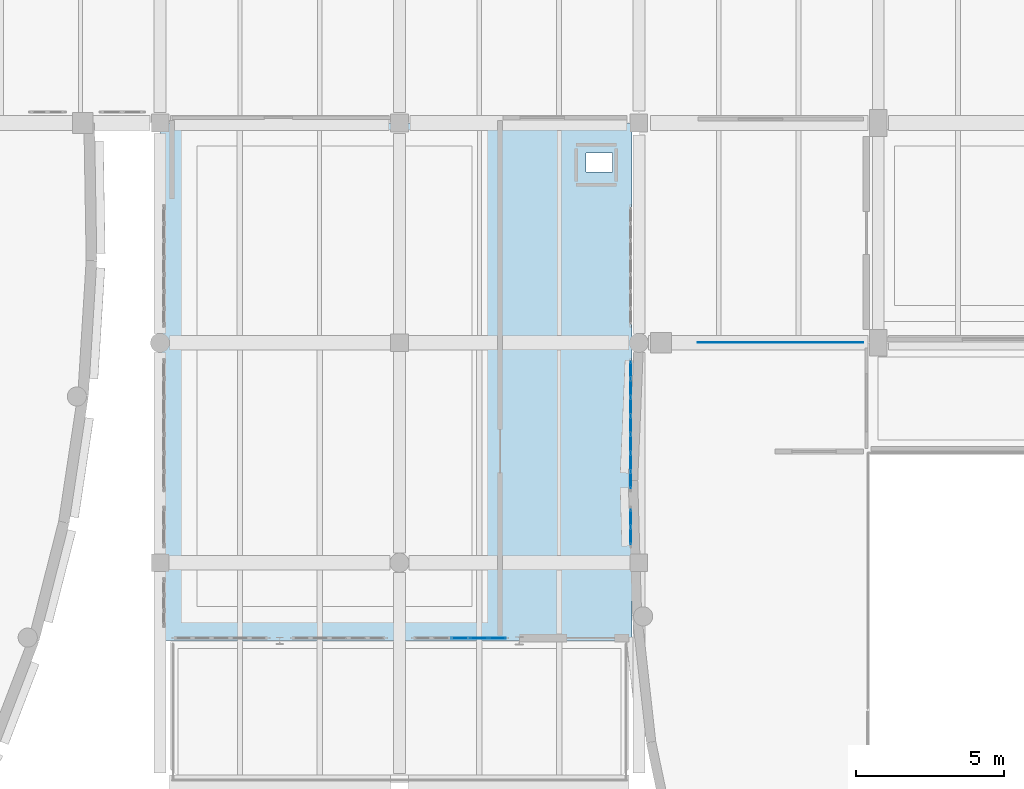
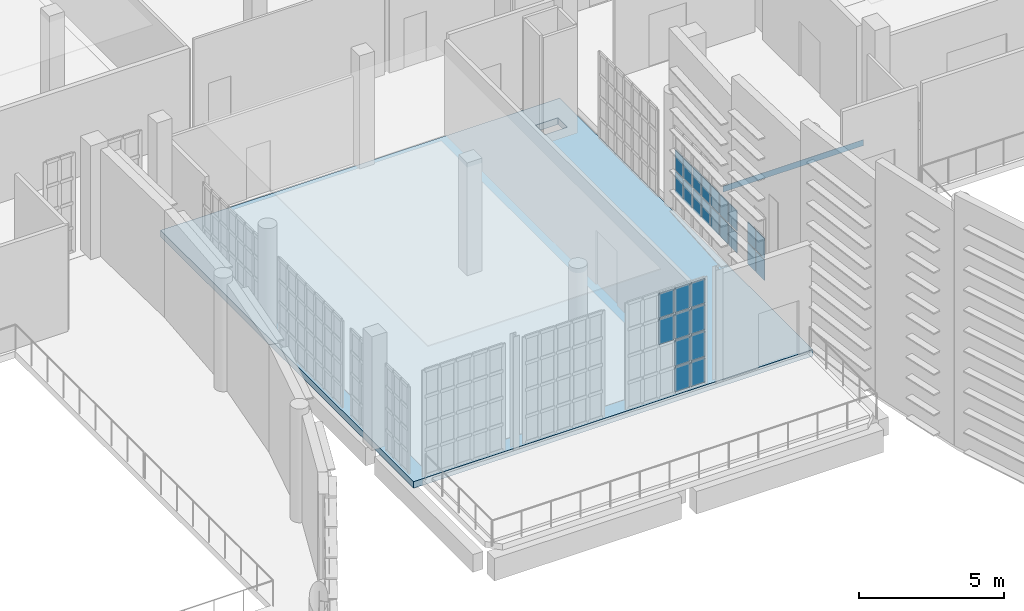
# One storey, part 76 of 104: 28 plates, 2 slabs, 3 elements without a shape of their own.
"""IFC4 building model written with IfcOpenShell, lengths in metres."""

from ifc_helpers import new_model, si_unit, direction, frame, origin, origin_2d, place, context, subcontext, project, spatial, polyline, rectangle, outline, extrude, material, layer, layer_set, type_object, element, aggregate, save


model = new_model("IFC4")

# Units and contexts
model_context = context("Model", 3, precision=1e-05, world=origin(), true_north=direction((0.0, 1.0)))
body_context = subcontext(model_context, "Body", "Model", "MODEL_VIEW")
ifc_project = project(units=[si_unit("LENGTHUNIT", "METRE"), si_unit("AREAUNIT", "SQUARE_METRE"), si_unit("VOLUMEUNIT", "CUBIC_METRE"), si_unit("PLANEANGLEUNIT", "RADIAN"), si_unit("MASSUNIT", "GRAM", prefix="KILO")], contexts=[model_context])

# Site, building, storey
site_placement = place(None, origin())
site = spatial("IfcSite", under=ifc_project, at=site_placement, CompositionType="ELEMENT")
building_placement = place(site_placement, origin())
building = spatial("IfcBuilding", under=site, at=building_placement, Name="Kaelora Sail Theatre", CompositionType="ELEMENT")
storey_placement = place(building_placement, frame((0.0, 0.0, 5.39990234375)))
storey = spatial("IfcBuildingStorey", under=building, at=storey_placement, Name="L01", CompositionType="ELEMENT", Elevation=5.39990234375)

# Curtain wall, plates
ifc_material_1 = material(Name="Anodised aluminium and solar-control low-E IGU", Category="aluminium")
curtain_wall_type = type_object("IfcCurtainWallType", Name="ARC-CW-CW-PROW", PredefinedType="NOTDEFINED", material=ifc_material_1)
curtain_wall_1_placement = place(storey_placement, origin())
curtain_wall_1 = element("IfcCurtainWall", 1, at=curtain_wall_1_placement, inside=storey, type_object=curtain_wall_type, Name="East Interstitial Sail Foyer Curtain Wall L01-03", PredefinedType="NOTDEFINED")
ifc_material_2 = material(Name="Solar-control laminated low-E glass", Category="glass")
ifc_layer_1 = layer(ifc_material_2, 0.031982421875)
ifc_layer_set_1 = layer_set([ifc_layer_1], Name="Solar-control laminated low-E glass")
plate_type = type_object("IfcPlateType", Name="ARC-CW-PNL", PredefinedType="CURTAIN_PANEL", material=ifc_layer_set_1)
plate_1_placement = place(storey_placement, frame((116.949951171875, 43.590087890625, 2.28759765625), z_axis=(0.0, 0.0, 1.0), x_axis=(1.0, 0.0, 0.0)))
plate_1 = element("IfcPlate", 2, at=plate_1_placement, type_object=plate_type, Name="CW-PROW panel 3.3", PredefinedType="CURTAIN_PANEL", context=body_context, shape_type="SweptSolid", body=[
    extrude(rectangle(XDim=0.580078125, YDim=0.031982421875, at=origin_2d()), origin(), (0.0, 0.0, 1.0), 1.056396484375),
])
plate_2_placement = place(storey_placement, frame((116.949951171875, 43.590087890625, 3.4140625), z_axis=(0.0, 0.0, 1.0), x_axis=(1.0, 0.0, 0.0)))
plate_2 = element("IfcPlate", 3, at=plate_2_placement, type_object=plate_type, Name="CW-PROW panel 3.4", PredefinedType="CURTAIN_PANEL", context=body_context, shape_type="SweptSolid", body=[
    extrude(rectangle(XDim=0.580078125, YDim=0.031982421875, at=origin_2d()), origin(), (0.0, 0.0, 1.0), 1.021240234375),
])
plate_3_placement = place(storey_placement, frame((117.590087890625, 43.590087890625, 0.0703125), z_axis=(0.0, 0.0, 1.0), x_axis=(1.0, 0.0, 0.0)))
plate_3 = element("IfcPlate", 4, at=plate_3_placement, type_object=plate_type, Name="CW-PROW panel 4.1", PredefinedType="CURTAIN_PANEL", context=body_context, shape_type="SweptSolid", body=[
    extrude(rectangle(XDim=0.580078125, YDim=0.031982421875, at=origin_2d()), origin(), (0.0, 0.0, 1.0), 1.021240234375),
])
plate_4_placement = place(storey_placement, frame((117.590087890625, 43.590087890625, 1.161376953125), z_axis=(0.0, 0.0, 1.0), x_axis=(1.0, 0.0, 0.0)))
plate_4 = element("IfcPlate", 5, at=plate_4_placement, type_object=plate_type, Name="CW-PROW panel 4.2", PredefinedType="CURTAIN_PANEL", context=body_context, shape_type="SweptSolid", body=[
    extrude(rectangle(XDim=0.580078125, YDim=0.031982421875, at=origin_2d()), origin(), (0.0, 0.0, 1.0), 1.05615234375),
])
plate_5_placement = place(storey_placement, frame((117.590087890625, 43.590087890625, 2.28759765625), z_axis=(0.0, 0.0, 1.0), x_axis=(1.0, 0.0, 0.0)))
plate_5 = element("IfcPlate", 6, at=plate_5_placement, type_object=plate_type, Name="CW-PROW panel 4.3", PredefinedType="CURTAIN_PANEL", context=body_context, shape_type="SweptSolid", body=[
    extrude(rectangle(XDim=0.580078125, YDim=0.031982421875, at=origin_2d()), origin(), (0.0, 0.0, 1.0), 1.056396484375),
])
plate_6_placement = place(storey_placement, frame((117.590087890625, 43.590087890625, 3.4140625), z_axis=(0.0, 0.0, 1.0), x_axis=(1.0, 0.0, 0.0)))
plate_6 = element("IfcPlate", 7, at=plate_6_placement, type_object=plate_type, Name="CW-PROW panel 4.4", PredefinedType="CURTAIN_PANEL", context=body_context, shape_type="SweptSolid", body=[
    extrude(rectangle(XDim=0.580078125, YDim=0.031982421875, at=origin_2d()), origin(), (0.0, 0.0, 1.0), 1.021240234375),
])
plate_7_placement = place(storey_placement, frame((118.215087890625, 43.590087890625, 0.0703125), z_axis=(0.0, 0.0, 1.0), x_axis=(1.0, 0.0, 0.0)))
plate_7 = element("IfcPlate", 8, at=plate_7_placement, type_object=plate_type, Name="CW-PROW panel 5.1", PredefinedType="CURTAIN_PANEL", context=body_context, shape_type="SweptSolid", body=[
    extrude(rectangle(XDim=0.550048828125, YDim=0.031982421875, at=origin_2d()), origin(), (0.0, 0.0, 1.0), 1.021240234375),
])
plate_8_placement = place(storey_placement, frame((118.215087890625, 43.590087890625, 1.161376953125), z_axis=(0.0, 0.0, 1.0), x_axis=(1.0, 0.0, 0.0)))
plate_8 = element("IfcPlate", 9, at=plate_8_placement, type_object=plate_type, Name="CW-PROW panel 5.2", PredefinedType="CURTAIN_PANEL", context=body_context, shape_type="SweptSolid", body=[
    extrude(rectangle(XDim=0.550048828125, YDim=0.031982421875, at=origin_2d()), origin(), (0.0, 0.0, 1.0), 1.05615234375),
])
plate_9_placement = place(storey_placement, frame((118.215087890625, 43.590087890625, 2.28759765625), z_axis=(0.0, 0.0, 1.0), x_axis=(1.0, 0.0, 0.0)))
plate_9 = element("IfcPlate", 10, at=plate_9_placement, type_object=plate_type, Name="CW-PROW panel 5.3", PredefinedType="CURTAIN_PANEL", context=body_context, shape_type="SweptSolid", body=[
    extrude(rectangle(XDim=0.550048828125, YDim=0.031982421875, at=origin_2d()), origin(), (0.0, 0.0, 1.0), 1.056396484375),
])
plate_10_placement = place(storey_placement, frame((118.215087890625, 43.590087890625, 3.4140625), z_axis=(0.0, 0.0, 1.0), x_axis=(1.0, 0.0, 0.0)))
plate_10 = element("IfcPlate", 11, at=plate_10_placement, type_object=plate_type, Name="CW-PROW panel 5.4", PredefinedType="CURTAIN_PANEL", context=body_context, shape_type="SweptSolid", body=[
    extrude(rectangle(XDim=0.550048828125, YDim=0.031982421875, at=origin_2d()), origin(), (0.0, 0.0, 1.0), 1.021240234375),
])
aggregate(curtain_wall_1, [plate_1, plate_2, plate_3, plate_4, plate_5, plate_6, plate_7, plate_8, plate_9, plate_10])

curtain_wall_2_placement = place(storey_placement, origin())
curtain_wall_2 = element("IfcCurtainWall", 12, at=curtain_wall_2_placement, inside=storey, type_object=curtain_wall_type, Name="East Interstitial Foyer East Glazed Return L01-01", PredefinedType="NOTDEFINED")
plate_11_placement = place(storey_placement, frame((122.719970703125, 47.0400390625, 0.95703125), z_axis=(0.0, 0.0, 1.0), x_axis=(0.0, 1.0, 0.0)))
plate_11 = element("IfcPlate", 13, at=plate_11_placement, type_object=plate_type, Name="CW-PROW panel 1.2", PredefinedType="CURTAIN_PANEL", context=body_context, shape_type="SweptSolid", body=[
    extrude(rectangle(XDim=0.56005859375, YDim=0.031982421875, at=origin_2d()), origin(), (0.0, 0.0, 1.0), 0.851806640625),
])
plate_12_placement = place(storey_placement, frame((122.719970703125, 47.0400390625, 1.87841796875), z_axis=(0.0, 0.0, 1.0), x_axis=(0.0, 1.0, 0.0)))
plate_12 = element("IfcPlate", 14, at=plate_12_placement, type_object=plate_type, Name="CW-PROW panel 1.3", PredefinedType="CURTAIN_PANEL", context=body_context, shape_type="SweptSolid", body=[
    extrude(rectangle(XDim=0.56005859375, YDim=0.031982421875, at=origin_2d()), origin(), (0.0, 0.0, 1.0), 0.851806640625),
])
plate_13_placement = place(storey_placement, frame((122.719970703125, 47.659912109375, 0.95703125), z_axis=(0.0, 0.0, 1.0), x_axis=(0.0, 1.0, 0.0)))
plate_13 = element("IfcPlate", 15, at=plate_13_placement, type_object=plate_type, Name="CW-PROW panel 2.2", PredefinedType="CURTAIN_PANEL", context=body_context, shape_type="SweptSolid", body=[
    extrude(rectangle(XDim=0.56005859375, YDim=0.031982421875, at=origin_2d()), origin(), (0.0, 0.0, 1.0), 0.851806640625),
])
plate_14_placement = place(storey_placement, frame((122.719970703125, 47.659912109375, 1.87841796875), z_axis=(0.0, 0.0, 1.0), x_axis=(0.0, 1.0, 0.0)))
plate_14 = element("IfcPlate", 16, at=plate_14_placement, type_object=plate_type, Name="CW-PROW panel 2.3", PredefinedType="CURTAIN_PANEL", context=body_context, shape_type="SweptSolid", body=[
    extrude(rectangle(XDim=0.56005859375, YDim=0.031982421875, at=origin_2d()), origin(), (0.0, 0.0, 1.0), 0.851806640625),
])
aggregate(curtain_wall_2, [plate_11, plate_12, plate_13, plate_14])

curtain_wall_3_placement = place(storey_placement, origin())
curtain_wall_3 = element("IfcCurtainWall", 17, at=curtain_wall_3_placement, inside=storey, type_object=curtain_wall_type, Name="East Interstitial Foyer East Glazed Return L01-02", PredefinedType="NOTDEFINED")
plate_15_placement = place(storey_placement, frame((122.719970703125, 48.928955078125, 0.95703125), z_axis=(0.0, 0.0, 1.0), x_axis=(0.0, 1.0, 0.0)))
plate_15 = element("IfcPlate", 18, at=plate_15_placement, type_object=plate_type, Name="CW-PROW panel 1.2", PredefinedType="CURTAIN_PANEL", context=body_context, shape_type="SweptSolid", body=[
    extrude(rectangle(XDim=0.537841796875, YDim=0.031982421875, at=origin_2d()), origin(), (0.0, 0.0, 1.0), 0.851806640625),
])
plate_16_placement = place(storey_placement, frame((122.719970703125, 48.928955078125, 1.87841796875), z_axis=(0.0, 0.0, 1.0), x_axis=(0.0, 1.0, 0.0)))
plate_16 = element("IfcPlate", 19, at=plate_16_placement, type_object=plate_type, Name="CW-PROW panel 1.3", PredefinedType="CURTAIN_PANEL", context=body_context, shape_type="SweptSolid", body=[
    extrude(rectangle(XDim=0.537841796875, YDim=0.031982421875, at=origin_2d()), origin(), (0.0, 0.0, 1.0), 0.851806640625),
])
plate_17_placement = place(storey_placement, frame((122.719970703125, 49.541748046875, 0.95703125), z_axis=(0.0, 0.0, 1.0), x_axis=(0.0, 1.0, 0.0)))
plate_17 = element("IfcPlate", 20, at=plate_17_placement, type_object=plate_type, Name="CW-PROW panel 2.2", PredefinedType="CURTAIN_PANEL", context=body_context, shape_type="SweptSolid", body=[
    extrude(rectangle(XDim=0.56787109375, YDim=0.031982421875, at=origin_2d()), origin(), (0.0, 0.0, 1.0), 0.851806640625),
])
plate_18_placement = place(storey_placement, frame((122.719970703125, 49.541748046875, 1.87841796875), z_axis=(0.0, 0.0, 1.0), x_axis=(0.0, 1.0, 0.0)))
plate_18 = element("IfcPlate", 21, at=plate_18_placement, type_object=plate_type, Name="CW-PROW panel 2.3", PredefinedType="CURTAIN_PANEL", context=body_context, shape_type="SweptSolid", body=[
    extrude(rectangle(XDim=0.56787109375, YDim=0.031982421875, at=origin_2d()), origin(), (0.0, 0.0, 1.0), 0.851806640625),
])
plate_19_placement = place(storey_placement, frame((122.719970703125, 50.169677734375, 0.95703125), z_axis=(0.0, 0.0, 1.0), x_axis=(0.0, 1.0, 0.0)))
plate_19 = element("IfcPlate", 22, at=plate_19_placement, type_object=plate_type, Name="CW-PROW panel 3.2", PredefinedType="CURTAIN_PANEL", context=body_context, shape_type="SweptSolid", body=[
    extrude(rectangle(XDim=0.56787109375, YDim=0.031982421875, at=origin_2d()), origin(), (0.0, 0.0, 1.0), 0.851806640625),
])
plate_20_placement = place(storey_placement, frame((122.719970703125, 50.169677734375, 1.87841796875), z_axis=(0.0, 0.0, 1.0), x_axis=(0.0, 1.0, 0.0)))
plate_20 = element("IfcPlate", 23, at=plate_20_placement, type_object=plate_type, Name="CW-PROW panel 3.3", PredefinedType="CURTAIN_PANEL", context=body_context, shape_type="SweptSolid", body=[
    extrude(rectangle(XDim=0.56787109375, YDim=0.031982421875, at=origin_2d()), origin(), (0.0, 0.0, 1.0), 0.851806640625),
])
plate_21_placement = place(storey_placement, frame((122.719970703125, 50.797607421875, 0.95703125), z_axis=(0.0, 0.0, 1.0), x_axis=(0.0, 1.0, 0.0)))
plate_21 = element("IfcPlate", 24, at=plate_21_placement, type_object=plate_type, Name="CW-PROW panel 4.2", PredefinedType="CURTAIN_PANEL", context=body_context, shape_type="SweptSolid", body=[
    extrude(rectangle(XDim=0.56787109375, YDim=0.031982421875, at=origin_2d()), origin(), (0.0, 0.0, 1.0), 0.851806640625),
])
plate_22_placement = place(storey_placement, frame((122.719970703125, 50.797607421875, 1.87841796875), z_axis=(0.0, 0.0, 1.0), x_axis=(0.0, 1.0, 0.0)))
plate_22 = element("IfcPlate", 25, at=plate_22_placement, type_object=plate_type, Name="CW-PROW panel 4.3", PredefinedType="CURTAIN_PANEL", context=body_context, shape_type="SweptSolid", body=[
    extrude(rectangle(XDim=0.56787109375, YDim=0.031982421875, at=origin_2d()), origin(), (0.0, 0.0, 1.0), 0.851806640625),
])
plate_23_placement = place(storey_placement, frame((122.719970703125, 51.42529296875, 0.95703125), z_axis=(0.0, 0.0, 1.0), x_axis=(0.0, 1.0, 0.0)))
plate_23 = element("IfcPlate", 26, at=plate_23_placement, type_object=plate_type, Name="CW-PROW panel 5.2", PredefinedType="CURTAIN_PANEL", context=body_context, shape_type="SweptSolid", body=[
    extrude(rectangle(XDim=0.56787109375, YDim=0.031982421875, at=origin_2d()), origin(), (0.0, 0.0, 1.0), 0.851806640625),
])
plate_24_placement = place(storey_placement, frame((122.719970703125, 51.42529296875, 1.87841796875), z_axis=(0.0, 0.0, 1.0), x_axis=(0.0, 1.0, 0.0)))
plate_24 = element("IfcPlate", 27, at=plate_24_placement, type_object=plate_type, Name="CW-PROW panel 5.3", PredefinedType="CURTAIN_PANEL", context=body_context, shape_type="SweptSolid", body=[
    extrude(rectangle(XDim=0.56787109375, YDim=0.031982421875, at=origin_2d()), origin(), (0.0, 0.0, 1.0), 0.851806640625),
])
plate_25_placement = place(storey_placement, frame((122.719970703125, 52.05322265625, 0.95703125), z_axis=(0.0, 0.0, 1.0), x_axis=(0.0, 1.0, 0.0)))
plate_25 = element("IfcPlate", 28, at=plate_25_placement, type_object=plate_type, Name="CW-PROW panel 6.2", PredefinedType="CURTAIN_PANEL", context=body_context, shape_type="SweptSolid", body=[
    extrude(rectangle(XDim=0.56787109375, YDim=0.031982421875, at=origin_2d()), origin(), (0.0, 0.0, 1.0), 0.851806640625),
])
plate_26_placement = place(storey_placement, frame((122.719970703125, 52.05322265625, 1.87841796875), z_axis=(0.0, 0.0, 1.0), x_axis=(0.0, 1.0, 0.0)))
plate_26 = element("IfcPlate", 29, at=plate_26_placement, type_object=plate_type, Name="CW-PROW panel 6.3", PredefinedType="CURTAIN_PANEL", context=body_context, shape_type="SweptSolid", body=[
    extrude(rectangle(XDim=0.56787109375, YDim=0.031982421875, at=origin_2d()), origin(), (0.0, 0.0, 1.0), 0.851806640625),
])
plate_27_placement = place(storey_placement, frame((122.719970703125, 52.666015625, 0.95703125), z_axis=(0.0, 0.0, 1.0), x_axis=(0.0, 1.0, 0.0)))
plate_27 = element("IfcPlate", 30, at=plate_27_placement, type_object=plate_type, Name="CW-PROW panel 7.2", PredefinedType="CURTAIN_PANEL", context=body_context, shape_type="SweptSolid", body=[
    extrude(rectangle(XDim=0.537841796875, YDim=0.031982421875, at=origin_2d()), origin(), (0.0, 0.0, 1.0), 0.851806640625),
])
plate_28_placement = place(storey_placement, frame((122.719970703125, 52.666015625, 1.87841796875), z_axis=(0.0, 0.0, 1.0), x_axis=(0.0, 1.0, 0.0)))
plate_28 = element("IfcPlate", 31, at=plate_28_placement, type_object=plate_type, Name="CW-PROW panel 7.3", PredefinedType="CURTAIN_PANEL", context=body_context, shape_type="SweptSolid", body=[
    extrude(rectangle(XDim=0.537841796875, YDim=0.031982421875, at=origin_2d()), origin(), (0.0, 0.0, 1.0), 0.851806640625),
])
aggregate(curtain_wall_3, [plate_15, plate_16, plate_17, plate_18, plate_19, plate_20, plate_21, plate_22, plate_23, plate_24, plate_25, plate_26, plate_27, plate_28])

# Slabs
ifc_material_3 = material(Name="Concrete C40/50", Category="concrete")
ifc_layer_2 = layer(ifc_material_3, 0.280029296875)
ifc_layer_set_2 = layer_set([ifc_layer_2], Name="Concrete C40/50")
slab_type_1 = type_object("IfcSlabType", Name="STR-SLB-SL-FL280", PredefinedType="FLOOR", material=ifc_layer_set_2)
slab_1_placement = place(storey_placement, frame((0.0, 0.0, -0.27978515625)))
element("IfcSlab", 32, at=slab_1_placement, inside=storey, type_object=slab_type_1, Name="Glazed Foyer floor slab FI-EAST (L01)", PredefinedType="FLOOR", context=body_context, shape_type="SweptSolid", body=[
    extrude(outline(polyline([(106.81494140625, 43.5), (122.760009765625, 43.5), (122.760009765625, 61.0048828125), (106.81494140625, 61.0048828125), (106.81494140625, 43.5)]), holes=[polyline([(121.2099609375, 59.35498046875), (122.110107421875, 59.35498046875), (122.110107421875, 60.0048828125), (121.2099609375, 60.0048828125), (121.2099609375, 59.35498046875)])]), origin(), (0.0, 0.0, 1.0), 0.27978515625),
])
ifc_material_4 = material(Name="Concrete C40/50", Category="concrete")
ifc_layer_3 = layer(ifc_material_4, 0.2548828125)
ifc_layer_set_3 = layer_set([ifc_layer_3], Name="Concrete C40/50")
slab_type_2 = type_object("IfcSlabType", Name="STR-SLB-SL-RMP255", PredefinedType="LANDING", material=ifc_layer_set_3)
slab_2_placement = place(storey_placement, frame((0.0, 0.0, -0.2548828125)))
element("IfcSlab", 33, at=slab_2_placement, inside=storey, type_object=slab_type_2, Name="Acoustic movement-joint threshold plate JBR-L01-BB", PredefinedType="LANDING", context=body_context, shape_type="SweptSolid", body=[
    extrude(outline(polyline([(125.0, 53.5810546875), (130.60009765625, 53.5810546875), (130.60009765625, 53.593994140625), (125.0, 53.593994140625), (125.0, 53.5810546875)])), origin(), (0.0, 0.0, 1.0), 0.2548828125),
])

save(model, "model.ifc")
